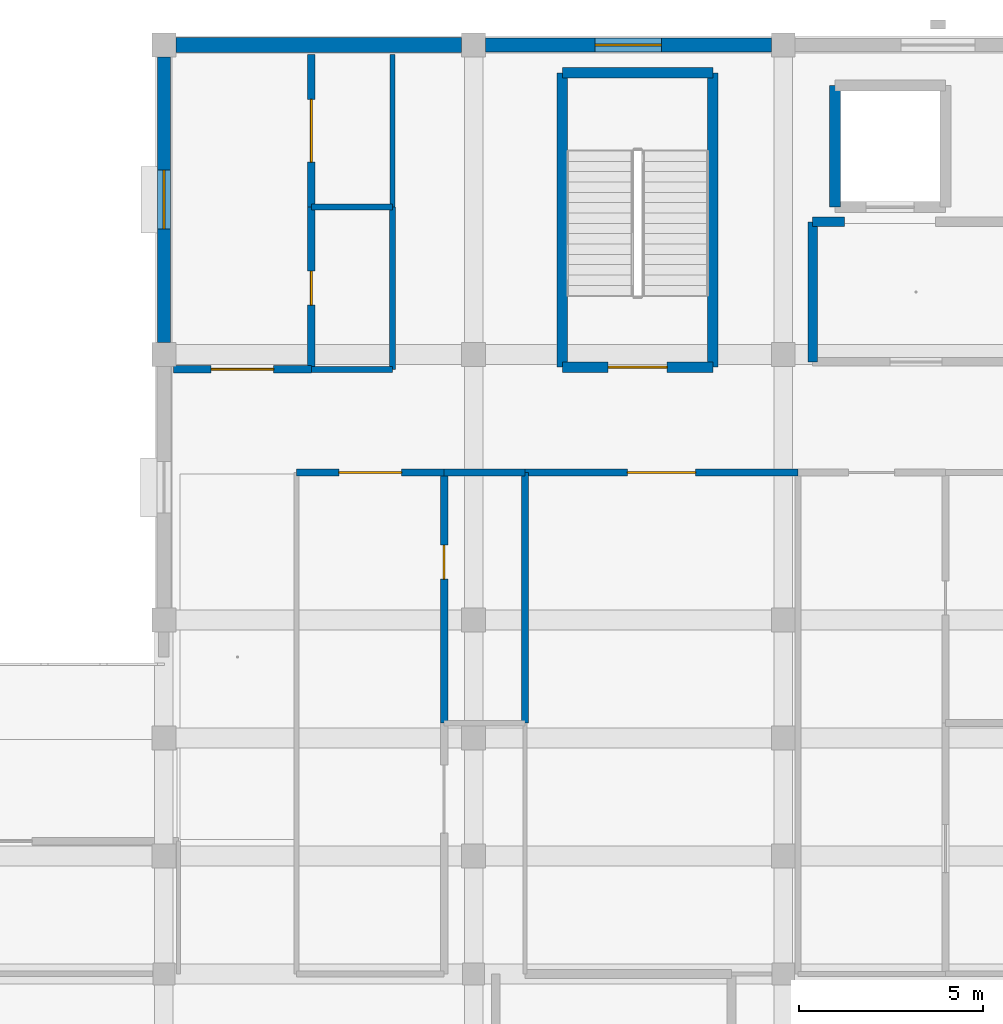
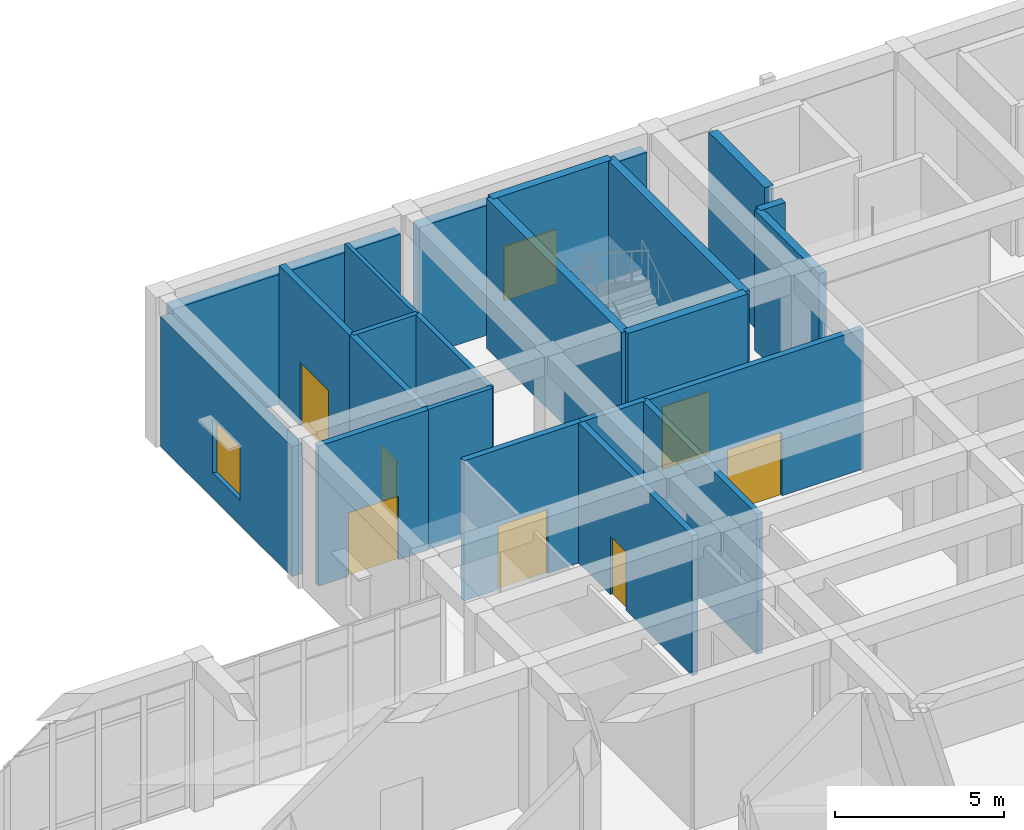
# One storey, part 88 of 157: 22 walls, 7 doors, 2 windows, 9 openings.
"""IFC4 building model written with IfcOpenShell, lengths in metres."""

from ifc_helpers import new_model, si_unit, direction, frame, frame_2d, origin, place, context, subcontext, project, spatial, rectangle, extrude, material, layer, layer_set, type_object, element, fill, save


model = new_model("IFC4")

# Units and contexts
model_context = context("Model", 3, precision=1e-05, world=origin(), true_north=direction((0.0, 1.0)))
body_context = subcontext(model_context, "Body", "Model", "MODEL_VIEW")
ifc_project = project(units=[si_unit("LENGTHUNIT", "METRE"), si_unit("AREAUNIT", "SQUARE_METRE"), si_unit("VOLUMEUNIT", "CUBIC_METRE"), si_unit("PLANEANGLEUNIT", "RADIAN"), si_unit("MASSUNIT", "GRAM", prefix="KILO")], contexts=[model_context])

# Site, building, storey
site_placement = place(None, origin())
site = spatial("IfcSite", under=ifc_project, at=site_placement, CompositionType="ELEMENT")
building_placement = place(site_placement, origin())
building = spatial("IfcBuilding", under=site, at=building_placement, Name="Varncliffe General Hospital", CompositionType="ELEMENT")
storey_placement = place(building_placement, frame((0.0, 0.0, 5.39990234375)))
storey = spatial("IfcBuildingStorey", under=building, at=storey_placement, Name="L01", CompositionType="ELEMENT", Elevation=5.39990234375)

# Wall, opening, window
ifc_material_1 = material(Name="Precast concrete C40/50 with insulated cream lime-cement stucco", Category="concrete")
ifc_layer_1 = layer(ifc_material_1, 0.3798828125)
ifc_layer_set_1 = layer_set([ifc_layer_1], Name="Precast concrete C40/50 with insulated cream lime-cement stucco")
wall_type_1 = type_object("IfcWallType", Name="Exterior Insulated Stucco Wall EW26 (380mm)", PredefinedType="SOLIDWALL", material=ifc_layer_set_1)
wall_1_placement = place(storey_placement, frame((117.923095703125, 124.800048828125, 0.0), z_axis=(0.0, 0.0, 1.0), x_axis=(1.0, 0.0, 0.0)))
wall_1 = element("IfcWall", 1, at=wall_1_placement, inside=storey, type_object=wall_type_1, Name="L01 Exterior Stucco Wall EW26-129", PredefinedType="SOLIDWALL", context=body_context, shape_type="SweptSolid", body=[
    extrude(rectangle(XDim=7.75390625, YDim=0.3798828125, at=frame_2d((3.876953125, 0.0))), origin(), (0.0, 0.0, 1.0), 4.68017578125),
])
opening_1_placement = place(wall_1_placement, frame((2.97705078125, 0.0, 0.89990234375)))
opening_1 = element("IfcOpeningElement", 2, at=opening_1_placement, cuts=wall_1, Name="Opening WN78", PredefinedType="OPENING", context=body_context, shape_type="SweptSolid", body=[
    extrude(rectangle(XDim=1.800048828125, YDim=1.949951171875, at=frame_2d((0.89990234375, 0.97509765625))), frame((0.0, 0.199951171875, 0.0), z_axis=(0.0, -1.0, 0.0), x_axis=(1.0, 0.0, 0.0)), (0.0, 0.0, 1.0), 0.39990234375),
])
ifc_material_2 = material(Name="Triple low-E argon insulated vision glazing", Category="glass")
window_type_1 = type_object("IfcWindowType", Name="Triple-Glazed Hospital Window WN78 (1800x1950)", PartitioningType="DOUBLE_PANEL_VERTICAL", PredefinedType="WINDOW", material=ifc_material_2)
window_1_placement = place(opening_1_placement, origin())
window_1 = element("IfcWindow", 3, at=window_1_placement, inside=storey, type_object=window_type_1, Name="L01 Hospital Window WN78-72", OverallHeight=1.949951171875, OverallWidth=1.800048828125, PartitioningType="DOUBLE_PANEL_VERTICAL", PredefinedType="WINDOW", context=body_context, shape_type="SweptSolid", body=[
    extrude(rectangle(XDim=1.800048828125, YDim=1.949951171875, at=frame_2d((0.89990234375, 0.97509765625))), frame((0.0, 0.030029296875, 0.0), z_axis=(0.0, -1.0, 0.0), x_axis=(1.0, 0.0, 0.0)), (0.0, 0.0, 1.0), 0.06005859375),
])
fill(opening_1, window_1)

ifc_layer_2 = layer(ifc_material_1, 0.35009765625)
ifc_layer_set_2 = layer_set([ifc_layer_2], Name="Precast concrete C40/50 with insulated cream lime-cement stucco")
wall_type_2 = type_object("IfcWallType", Name="Exterior Insulated Stucco Wall EW37 (350mm)", PredefinedType="SOLIDWALL", material=ifc_layer_set_2)
wall_2_placement = place(storey_placement, frame((109.199951171875, 116.722900390625, 0.0), z_axis=(0.0, 0.0, 1.0), x_axis=(0.0, 1.0, 0.0)))
wall_2 = element("IfcWall", 4, at=wall_2_placement, inside=storey, type_object=wall_type_2, Name="L01 Exterior Stucco Wall EW37-127", PredefinedType="SOLIDWALL", context=body_context, shape_type="SweptSolid", body=[
    extrude(rectangle(XDim=7.754150390625, YDim=0.35009765625, at=frame_2d((3.876953125, 0.0))), origin(), (0.0, 0.0, 1.0), 4.68017578125),
])
opening_2_placement = place(wall_2_placement, frame((3.076904296875, 0.0, 0.89990234375)))
opening_2 = element("IfcOpeningElement", 5, at=opening_2_placement, cuts=wall_2, Name="Opening WN13", PredefinedType="OPENING", context=body_context, shape_type="SweptSolid", body=[
    extrude(rectangle(XDim=1.60009765625, YDim=1.949951171875, at=frame_2d((0.800048828125, 0.97509765625))), frame((0.0, 0.18505859375, 0.0), z_axis=(0.0, -1.0, 0.0), x_axis=(1.0, 0.0, 0.0)), (0.0, 0.0, 1.0), 0.3701171875),
])
window_type_2 = type_object("IfcWindowType", Name="Triple-Glazed Hospital Window WN13 (1600x1950)", PartitioningType="DOUBLE_PANEL_VERTICAL", PredefinedType="WINDOW", material=ifc_material_2)
window_2_placement = place(opening_2_placement, origin())
window_2 = element("IfcWindow", 6, at=window_2_placement, inside=storey, type_object=window_type_2, Name="L01 Hospital Window WN13-71", OverallHeight=1.949951171875, OverallWidth=1.60009765625, PartitioningType="DOUBLE_PANEL_VERTICAL", PredefinedType="WINDOW", context=body_context, shape_type="SweptSolid", body=[
    extrude(rectangle(XDim=1.60009765625, YDim=1.949951171875, at=frame_2d((0.800048828125, 0.97509765625))), frame((0.0, 0.030029296875, 0.0), z_axis=(0.0, -1.0, 0.0), x_axis=(1.0, 0.0, 0.0)), (0.0, 0.0, 1.0), 0.06005859375),
])
fill(opening_2, window_2)

# Walls
ifc_layer_3 = layer(ifc_material_1, 0.39990234375)
ifc_layer_set_3 = layer_set([ifc_layer_3], Name="Precast concrete C40/50 with insulated cream lime-cement stucco")
wall_type_3 = type_object("IfcWallType", Name="Exterior Insulated Stucco Wall EW47 (400mm)", PredefinedType="SOLIDWALL", material=ifc_layer_set_3)
wall_3_placement = place(storey_placement, frame((109.52294921875, 124.800048828125, 0.0), z_axis=(0.0, 0.0, 1.0), x_axis=(1.0, 0.0, 0.0)))
element("IfcWall", 7, at=wall_3_placement, inside=storey, type_object=wall_type_3, Name="L01 Exterior Stucco Wall EW47-128", PredefinedType="SOLIDWALL", context=body_context, shape_type="SweptSolid", body=[
    extrude(rectangle(XDim=7.754150390625, YDim=0.39990234375, at=frame_2d((3.876953125, 0.0))), origin(), (0.0, 0.0, 1.0), 4.68017578125),
])
ifc_material_3 = material(Name="Acoustic clinical gypsum stud partition assembly", Category="gypsum")
ifc_layer_4 = layer(ifc_material_3, 0.1298828125)
ifc_layer_set_4 = layer_set([ifc_layer_4], Name="Acoustic clinical gypsum stud partition assembly")
wall_type_4 = type_object("IfcWallType", Name="Interior Partitioning IW11 (130mm)", PredefinedType="PARTITIONING", material=ifc_layer_set_4)
wall_4_placement = place(storey_placement, frame((115.39990234375, 120.39990234375, 0.0), z_axis=(0.0, 0.0, 1.0), x_axis=(0.0, 1.0, 0.0)))
element("IfcWall", 8, at=wall_4_placement, inside=storey, type_object=wall_type_4, Name="L01 Interior Partition Wall IW11-798", PredefinedType="PARTITIONING", context=body_context, shape_type="SweptSolid", body=[
    extrude(rectangle(XDim=4.14013671875, YDim=0.1298828125, at=frame_2d((2.070068359375, 0.0))), origin(), (0.0, 0.0, 1.0), 5.050048828125),
])
ifc_material_4 = material(Name="Fire-rated gypsum and mineral-wool partition assembly", Category="gypsum")
ifc_layer_5 = layer(ifc_material_4, 0.25)
ifc_layer_set_5 = layer_set([ifc_layer_5], Name="Fire-rated gypsum and mineral-wool partition assembly")
wall_type_5 = type_object("IfcWallType", Name="Interior Partitioning PW38 (250mm)", PredefinedType="PARTITIONING", material=ifc_layer_set_5)
wall_5_placement = place(storey_placement, frame((126.800048828125, 120.0, 0.0), z_axis=(0.0, 0.0, 1.0), x_axis=(1.0, 0.0, 0.0)))
element("IfcWall", 9, at=wall_5_placement, inside=storey, type_object=wall_type_5, Name="L01 Interior Partition Wall PW38-662", PredefinedType="PARTITIONING", context=body_context, shape_type="SweptSolid", body=[
    extrude(rectangle(XDim=0.864013671875, YDim=0.25, at=frame_2d((0.43212890625, 0.0))), origin(), (0.0, 0.0, 1.0), 5.050048828125),
])
wall_6_placement = place(storey_placement, frame((126.800048828125, 116.199951171875, 0.0), z_axis=(0.0, 0.0, 1.0), x_axis=(0.0, 1.0, 0.0)))
element("IfcWall", 10, at=wall_6_placement, inside=storey, type_object=wall_type_5, Name="L01 Interior Partition Wall PW38-811", PredefinedType="PARTITIONING", context=body_context, shape_type="SweptSolid", body=[
    extrude(rectangle(XDim=3.800048828125, YDim=0.25, at=frame_2d((1.89990234375, 0.0))), origin(), (0.0, 0.0, 1.0), 5.050048828125),
])

# Wall, opening, door
ifc_layer_6 = layer(ifc_material_4, 0.199951171875)
ifc_layer_set_6 = layer_set([ifc_layer_6], Name="Fire-rated gypsum and mineral-wool partition assembly")
wall_type_6 = type_object("IfcWallType", Name="Interior Partitioning PW63 (200mm)", PredefinedType="PARTITIONING", material=ifc_layer_set_6)
wall_7_placement = place(storey_placement, frame((112.800048828125, 113.199951171875, 0.0), z_axis=(0.0, 0.0, 1.0), x_axis=(1.0, 0.0, 0.0)))
wall_7 = element("IfcWall", 11, at=wall_7_placement, inside=storey, type_object=wall_type_6, Name="L01 Interior Partition Wall PW63-627", PredefinedType="PARTITIONING", context=body_context, shape_type="SweptSolid", body=[
    extrude(rectangle(XDim=4.0, YDim=0.199951171875, at=frame_2d((2.0, 0.0))), origin(), (0.0, 0.0, 1.0), 5.050048828125),
])
opening_3_placement = place(wall_7_placement, frame((1.14990234375, 0.0, 0.0)))
opening_3 = element("IfcOpeningElement", 12, at=opening_3_placement, cuts=wall_7, Name="Opening DC50", PredefinedType="OPENING", context=body_context, shape_type="SweptSolid", body=[
    extrude(rectangle(XDim=1.699951171875, YDim=2.300048828125, at=frame_2d((0.85009765625, 1.14990234375))), frame((0.0, 0.10986328125, 0.0), z_axis=(0.0, -1.0, 0.0), x_axis=(1.0, 0.0, 0.0)), (0.0, 0.0, 1.0), 0.219970703125),
])
ifc_material_5 = material(Name="Fire-rated hospital steel-frame vision-panel door", Category="steel")
door_type_1 = type_object("IfcDoorType", Name="Interior Hospital Door DC50 (1700x2300)", OperationType="NOTDEFINED", PredefinedType="DOOR", material=ifc_material_5)
door_1_placement = place(opening_3_placement, frame((1.699951171875, 0.0, 0.0), z_axis=(0.0, 0.0, 1.0), x_axis=(-1.0, 0.0, 0.0)))
door_1 = element("IfcDoor", 13, at=door_1_placement, inside=storey, type_object=door_type_1, Name="L01 General Medical Inpatient Room 149 Door", OperationType="SINGLE_SWING_RIGHT", OverallHeight=2.300048828125, OverallWidth=1.699951171875, PredefinedType="DOOR", context=body_context, shape_type="SweptSolid", body=[
    extrude(rectangle(XDim=1.699951171875, YDim=2.300048828125, at=frame_2d((0.85009765625, 1.14990234375))), frame((0.0, 0.02490234375, 0.0), z_axis=(0.0, -1.0, 0.0), x_axis=(1.0, 0.0, 0.0)), (0.0, 0.0, 1.0), 0.050048828125),
])
fill(opening_3, door_1)

wall_8_placement = place(storey_placement, frame((119.0, 113.199951171875, 0.0), z_axis=(0.0, 0.0, 1.0), x_axis=(1.0, 0.0, 0.0)))
wall_8 = element("IfcWall", 14, at=wall_8_placement, inside=storey, type_object=wall_type_6, Name="L01 Interior Partition Wall PW63-629", PredefinedType="PARTITIONING", context=body_context, shape_type="SweptSolid", body=[
    extrude(rectangle(XDim=7.39990234375, YDim=0.199951171875, at=frame_2d((3.699951171875, 0.0))), origin(), (0.0, 0.0, 1.0), 5.050048828125),
])
opening_4_placement = place(wall_8_placement, frame((2.77490234375, 0.0, 0.0)))
opening_4 = element("IfcOpeningElement", 15, at=opening_4_placement, cuts=wall_8, Name="Opening DC38", PredefinedType="OPENING", context=body_context, shape_type="SweptSolid", body=[
    extrude(rectangle(XDim=1.85009765625, YDim=2.300048828125, at=frame_2d((0.925048828125, 1.14990234375))), frame((0.0, 0.10986328125, 0.0), z_axis=(0.0, -1.0, 0.0), x_axis=(1.0, 0.0, 0.0)), (0.0, 0.0, 1.0), 0.219970703125),
])
door_type_2 = type_object("IfcDoorType", Name="Interior Hospital Door DC38 (1850x2300)", OperationType="NOTDEFINED", PredefinedType="DOOR", material=ifc_material_5)
door_2_placement = place(opening_4_placement, frame((1.85009765625, 0.0, 0.0), z_axis=(0.0, 0.0, 1.0), x_axis=(-1.0, 0.0, 0.0)))
door_2 = element("IfcDoor", 16, at=door_2_placement, inside=storey, type_object=door_type_2, Name="L01 Ward Nurse Station and Medication Room 152 Door", OperationType="SINGLE_SWING_LEFT", OverallHeight=2.300048828125, OverallWidth=1.85009765625, PredefinedType="DOOR", context=body_context, shape_type="SweptSolid", body=[
    extrude(rectangle(XDim=1.85009765625, YDim=2.300048828125, at=frame_2d((0.925048828125, 1.14990234375))), frame((0.0, 0.02490234375, 0.0), z_axis=(0.0, -1.0, 0.0), x_axis=(1.0, 0.0, 0.0)), (0.0, 0.0, 1.0), 0.050048828125),
])
fill(opening_4, door_2)

wall_9_placement = place(storey_placement, frame((109.4599609375, 116.0, 0.0), z_axis=(0.0, 0.0, 1.0), x_axis=(1.0, 0.0, 0.0)))
wall_9 = element("IfcWall", 17, at=wall_9_placement, inside=storey, type_object=wall_type_6, Name="L01 Interior Partition Wall PW63-648", PredefinedType="PARTITIONING", context=body_context, shape_type="SweptSolid", body=[
    extrude(rectangle(XDim=3.739990234375, YDim=0.199951171875, at=frame_2d((1.8701171875, 0.0))), origin(), (0.0, 0.0, 1.0), 5.050048828125),
])
opening_5_placement = place(wall_9_placement, frame((1.02001953125, 0.0, 0.0)))
opening_5 = element("IfcOpeningElement", 18, at=opening_5_placement, cuts=wall_9, Name="Opening DC50", PredefinedType="OPENING", context=body_context, shape_type="SweptSolid", body=[
    extrude(rectangle(XDim=1.699951171875, YDim=2.300048828125, at=frame_2d((0.85009765625, 1.14990234375))), frame((0.0, 0.10986328125, 0.0), z_axis=(0.0, -1.0, 0.0), x_axis=(1.0, 0.0, 0.0)), (0.0, 0.0, 1.0), 0.219970703125),
])
door_3_placement = place(opening_5_placement, origin())
door_3 = element("IfcDoor", 19, at=door_3_placement, inside=storey, type_object=door_type_1, Name="L01 General Medical Inpatient Room 175 Door", OperationType="SINGLE_SWING_RIGHT", OverallHeight=2.300048828125, OverallWidth=1.699951171875, PredefinedType="DOOR", context=body_context, shape_type="SweptSolid", body=[
    extrude(rectangle(XDim=1.699951171875, YDim=2.300048828125, at=frame_2d((0.85009765625, 1.14990234375))), frame((0.0, 0.02490234375, 0.0), z_axis=(0.0, -1.0, 0.0), x_axis=(1.0, 0.0, 0.0)), (0.0, 0.0, 1.0), 0.050048828125),
])
fill(opening_5, door_3)

wall_10_placement = place(storey_placement, frame((113.199951171875, 116.0, 0.0), z_axis=(0.0, 0.0, 1.0), x_axis=(0.0, 1.0, 0.0)))
wall_10 = element("IfcWall", 20, at=wall_10_placement, inside=storey, type_object=wall_type_6, Name="L01 Interior Partition Wall PW63-794", PredefinedType="PARTITIONING", context=body_context, shape_type="SweptSolid", body=[
    extrude(rectangle(XDim=4.39990234375, YDim=0.199951171875, at=frame_2d((2.199951171875, 0.0))), origin(), (0.0, 0.0, 1.0), 5.050048828125),
])
opening_6_placement = place(wall_10_placement, frame((1.739990234375, 0.0, 0.0)))
opening_6 = element("IfcOpeningElement", 21, at=opening_6_placement, cuts=wall_10, Name="Opening DI70", PredefinedType="OPENING", context=body_context, shape_type="SweptSolid", body=[
    extrude(rectangle(XDim=0.919921875, YDim=2.10009765625, at=frame_2d((0.4599609375, 1.050048828125))), frame((0.0, 0.10986328125, 0.0), z_axis=(0.0, -1.0, 0.0), x_axis=(1.0, 0.0, 0.0)), (0.0, 0.0, 1.0), 0.219970703125),
])
ifc_material_6 = material(Name="Solid-core antimicrobial hospital oak veneer door", Category="wood")
door_type_3 = type_object("IfcDoorType", Name="Interior Hospital Door DI70 (920x2100)", OperationType="NOTDEFINED", PredefinedType="DOOR", material=ifc_material_6)
door_4_placement = place(opening_6_placement, frame((0.919921875, 0.0, 0.0), z_axis=(0.0, 0.0, 1.0), x_axis=(-1.0, 0.0, 0.0)))
door_4 = element("IfcDoor", 22, at=door_4_placement, inside=storey, type_object=door_type_3, Name="L01 En-Suite Bathroom 176 Door", OperationType="SINGLE_SWING_RIGHT", OverallHeight=2.10009765625, OverallWidth=0.919921875, PredefinedType="DOOR", context=body_context, shape_type="SweptSolid", body=[
    extrude(rectangle(XDim=0.919921875, YDim=2.10009765625, at=frame_2d((0.4599609375, 1.050048828125))), frame((0.0, 0.02490234375, 0.0), z_axis=(0.0, -1.0, 0.0), x_axis=(1.0, 0.0, 0.0)), (0.0, 0.0, 1.0), 0.050048828125),
])
fill(opening_6, door_4)

wall_11_placement = place(storey_placement, frame((113.199951171875, 120.39990234375, 0.0), z_axis=(0.0, 0.0, 1.0), x_axis=(0.0, 1.0, 0.0)))
wall_11 = element("IfcWall", 23, at=wall_11_placement, inside=storey, type_object=wall_type_6, Name="L01 Interior Partition Wall PW63-795", PredefinedType="PARTITIONING", context=body_context, shape_type="SweptSolid", body=[
    extrude(rectangle(XDim=4.14013671875, YDim=0.199951171875, at=frame_2d((2.070068359375, 0.0))), origin(), (0.0, 0.0, 1.0), 5.050048828125),
])
opening_7_placement = place(wall_11_placement, frame((1.219970703125, 0.0, 0.0)))
opening_7 = element("IfcOpeningElement", 24, at=opening_7_placement, cuts=wall_11, Name="Opening DC50", PredefinedType="OPENING", context=body_context, shape_type="SweptSolid", body=[
    extrude(rectangle(XDim=1.699951171875, YDim=2.300048828125, at=frame_2d((0.85009765625, 1.14990234375))), frame((0.0, 0.10986328125, 0.0), z_axis=(0.0, -1.0, 0.0), x_axis=(1.0, 0.0, 0.0)), (0.0, 0.0, 1.0), 0.219970703125),
])
door_5_placement = place(opening_7_placement, frame((1.699951171875, 0.0, 0.0), z_axis=(0.0, 0.0, 1.0), x_axis=(-1.0, 0.0, 0.0)))
door_5 = element("IfcDoor", 25, at=door_5_placement, inside=storey, type_object=door_type_1, Name="L01 Patient Medication and Hygiene Bay 177 Door", OperationType="SINGLE_SWING_LEFT", OverallHeight=2.300048828125, OverallWidth=1.699951171875, PredefinedType="DOOR", context=body_context, shape_type="SweptSolid", body=[
    extrude(rectangle(XDim=1.699951171875, YDim=2.300048828125, at=frame_2d((0.85009765625, 1.14990234375))), frame((0.0, 0.02490234375, 0.0), z_axis=(0.0, -1.0, 0.0), x_axis=(1.0, 0.0, 0.0)), (0.0, 0.0, 1.0), 0.050048828125),
])
fill(opening_7, door_5)

wall_12_placement = place(storey_placement, frame((116.800048828125, 106.39990234375, 0.0), z_axis=(0.0, 0.0, 1.0), x_axis=(0.0, 1.0, 0.0)))
wall_12 = element("IfcWall", 26, at=wall_12_placement, inside=storey, type_object=wall_type_6, Name="L01 Interior Partition Wall PW63-800", PredefinedType="PARTITIONING", context=body_context, shape_type="SweptSolid", body=[
    extrude(rectangle(XDim=6.800048828125, YDim=0.199951171875, at=frame_2d((3.39990234375, 0.0))), origin(), (0.0, 0.0, 1.0), 5.050048828125),
])
opening_8_placement = place(wall_12_placement, frame((3.912109375, 0.0, 0.0)))
opening_8 = element("IfcOpeningElement", 27, at=opening_8_placement, cuts=wall_12, Name="Opening DI70", PredefinedType="OPENING", context=body_context, shape_type="SweptSolid", body=[
    extrude(rectangle(XDim=0.919921875, YDim=2.10009765625, at=frame_2d((0.4599609375, 1.050048828125))), frame((0.0, 0.10986328125, 0.0), z_axis=(0.0, -1.0, 0.0), x_axis=(1.0, 0.0, 0.0)), (0.0, 0.0, 1.0), 0.219970703125),
])
door_6_placement = place(opening_8_placement, frame((0.919921875, 0.0, 0.0), z_axis=(0.0, 0.0, 1.0), x_axis=(-1.0, 0.0, 0.0)))
door_6 = element("IfcDoor", 28, at=door_6_placement, inside=storey, type_object=door_type_3, Name="L01 En-Suite Bathroom 150 Door", OperationType="SINGLE_SWING_LEFT", OverallHeight=2.10009765625, OverallWidth=0.919921875, PredefinedType="DOOR", context=body_context, shape_type="SweptSolid", body=[
    extrude(rectangle(XDim=0.919921875, YDim=2.10009765625, at=frame_2d((0.4599609375, 1.050048828125))), frame((0.0, 0.02490234375, 0.0), z_axis=(0.0, -1.0, 0.0), x_axis=(1.0, 0.0, 0.0)), (0.0, 0.0, 1.0), 0.050048828125),
])
fill(opening_8, door_6)

# Walls
ifc_material_7 = material(Name="Moisture-resistant plumbing chase wall assembly", Category="gypsum")
ifc_layer_7 = layer(ifc_material_7, 0.18994140625)
ifc_layer_set_7 = layer_set([ifc_layer_7], Name="Moisture-resistant plumbing chase wall assembly")
wall_type_7 = type_object("IfcWallType", Name="Interior Plumbingwall MW17 (190mm)", PredefinedType="PLUMBINGWALL", material=ifc_layer_set_7)
wall_13_placement = place(storey_placement, frame((116.800048828125, 113.199951171875, 0.0), z_axis=(0.0, 0.0, 1.0), x_axis=(1.0, 0.0, 0.0)))
element("IfcWall", 29, at=wall_13_placement, inside=storey, type_object=wall_type_7, Name="L01 Interior Plumbing Wall MW17-628", PredefinedType="PLUMBINGWALL", context=body_context, shape_type="SweptSolid", body=[
    extrude(rectangle(XDim=2.199951171875, YDim=0.18994140625, at=frame_2d((1.10009765625, 0.0))), origin(), (0.0, 0.0, 1.0), 5.050048828125),
])
wall_14_placement = place(storey_placement, frame((119.0, 106.39990234375, 0.0), z_axis=(0.0, 0.0, 1.0), x_axis=(0.0, 1.0, 0.0)))
element("IfcWall", 30, at=wall_14_placement, inside=storey, type_object=wall_type_7, Name="L01 Interior Plumbing Wall MW17-808", PredefinedType="PLUMBINGWALL", context=body_context, shape_type="SweptSolid", body=[
    extrude(rectangle(XDim=6.800048828125, YDim=0.18994140625, at=frame_2d((3.39990234375, 0.0))), origin(), (0.0, 0.0, 1.0), 5.050048828125),
])
ifc_layer_8 = layer(ifc_material_7, 0.159912109375)
ifc_layer_set_8 = layer_set([ifc_layer_8], Name="Moisture-resistant plumbing chase wall assembly")
wall_type_8 = type_object("IfcWallType", Name="Interior Plumbingwall MW31 (160mm)", PredefinedType="PLUMBINGWALL", material=ifc_layer_set_8)
for number, where, z_axis, x_axis, name in (
    (31, (113.199951171875, 116.0, 0.0), (0.0, 0.0, 1.0), (1.0, 0.0, 0.0), "L01 Interior Plumbing Wall MW31-649"),
    (32, (113.199951171875, 120.39990234375, 0.0), (0.0, 0.0, 1.0), (1.0, 0.0, 0.0), "L01 Interior Plumbing Wall MW31-669"),
):
    element("IfcWall", number, at=place(storey_placement, frame(where, z_axis=z_axis, x_axis=x_axis)), inside=storey, type_object=wall_type_8, Name=name, PredefinedType="PLUMBINGWALL", context=body_context, shape_type="SweptSolid", body=[
        extrude(rectangle(XDim=2.199951171875, YDim=0.159912109375, at=frame_2d((1.10009765625, 0.0))), origin(), (0.0, 0.0, 1.0), 5.050048828125),
    ])
wall_15_placement = place(storey_placement, frame((115.39990234375, 116.0, 0.0), z_axis=(0.0, 0.0, 1.0), x_axis=(0.0, 1.0, 0.0)))
element("IfcWall", 33, at=wall_15_placement, inside=storey, type_object=wall_type_8, Name="L01 Interior Plumbing Wall MW31-797", PredefinedType="PLUMBINGWALL", context=body_context, shape_type="SweptSolid", body=[
    extrude(rectangle(XDim=4.39990234375, YDim=0.159912109375, at=frame_2d((2.199951171875, 0.0))), origin(), (0.0, 0.0, 1.0), 5.050048828125),
])
ifc_material_8 = material(Name="Concrete C40/50 (CSA A23.1 40 MPa)", Category="concrete")
ifc_layer_9 = layer(ifc_material_8, 0.300048828125)
ifc_layer_set_9 = layer_set([ifc_layer_9], Name="Concrete C40/50 (CSA A23.1 40 MPa)")
wall_type_9 = type_object("IfcWallType", Name="Reinforced Concrete Core Shear Wall CW12 (300mm)", PredefinedType="SHEAR", material=ifc_layer_set_9)
wall_16_placement = place(storey_placement, frame((127.39990234375, 123.699951171875, 0.0), z_axis=(0.0, 0.0, 1.0), x_axis=(0.0, -1.0, 0.0)))
element("IfcWall", 34, at=wall_16_placement, inside=storey, type_object=wall_type_9, Name="L01 LF03 Elevator Shaft Wall West", PredefinedType="SHEAR", context=body_context, shape_type="SweptSolid", body=[
    extrude(rectangle(XDim=3.300048828125, YDim=0.300048828125, at=frame_2d((1.64990234375, 0.0))), origin(), (0.0, 0.0, 1.0), 5.400146484375),
])
ifc_layer_10 = layer(ifc_material_8, 0.280029296875)
ifc_layer_set_10 = layer_set([ifc_layer_10], Name="Concrete C40/50 (CSA A23.1 40 MPa)")
wall_type_10 = type_object("IfcWallType", Name="Reinforced Concrete Core Shear Wall CW13 (280mm)", PredefinedType="SHEAR", material=ifc_layer_set_10)
wall_17_placement = place(storey_placement, frame((124.090087890625, 116.06005859375, 0.0), z_axis=(0.0, 0.0, 1.0), x_axis=(0.0, 1.0, 0.0)))
element("IfcWall", 35, at=wall_17_placement, inside=storey, type_object=wall_type_10, Name="L01 ST03 Core Shear Wall L", PredefinedType="SHEAR", context=body_context, shape_type="SweptSolid", body=[
    extrude(rectangle(XDim=7.97998046875, YDim=0.280029296875, at=frame_2d((3.989990234375, 0.0))), origin(), (0.0, 0.0, 1.0), 5.400146484375),
])
wall_18_placement = place(storey_placement, frame((124.090087890625, 124.0400390625, 0.0), z_axis=(0.0, 0.0, 1.0), x_axis=(-1.0, 0.0, 0.0)))
element("IfcWall", 36, at=wall_18_placement, inside=storey, type_object=wall_type_10, Name="L01 ST03 Core Shear Wall F", PredefinedType="SHEAR", context=body_context, shape_type="SweptSolid", body=[
    extrude(rectangle(XDim=4.080078125, YDim=0.280029296875, at=frame_2d((2.0400390625, 0.0))), origin(), (0.0, 0.0, 1.0), 5.400146484375),
])
wall_19_placement = place(storey_placement, frame((120.010009765625, 124.0400390625, 0.0), z_axis=(0.0, 0.0, 1.0), x_axis=(0.0, -1.0, 0.0)))
element("IfcWall", 37, at=wall_19_placement, inside=storey, type_object=wall_type_10, Name="L01 ST03 Core Shear Wall R", PredefinedType="SHEAR", context=body_context, shape_type="SweptSolid", body=[
    extrude(rectangle(XDim=7.97998046875, YDim=0.280029296875, at=frame_2d((3.989990234375, 0.0))), origin(), (0.0, 0.0, 1.0), 5.400146484375),
])

# Wall, opening, door
wall_20_placement = place(storey_placement, frame((120.010009765625, 116.06005859375, 0.0), z_axis=(0.0, 0.0, 1.0), x_axis=(1.0, 0.0, 0.0)))
wall_20 = element("IfcWall", 38, at=wall_20_placement, inside=storey, type_object=wall_type_10, Name="L01 ST03 Core Shear Wall N", PredefinedType="SHEAR", context=body_context, shape_type="SweptSolid", body=[
    extrude(rectangle(XDim=4.080078125, YDim=0.280029296875, at=frame_2d((2.0400390625, 0.0))), origin(), (0.0, 0.0, 1.0), 5.400146484375),
])
opening_9_placement = place(wall_20_placement, frame((1.239990234375, 0.0, 0.0)))
opening_9 = element("IfcOpeningElement", 39, at=opening_9_placement, cuts=wall_20, Name="Opening DF27", PredefinedType="OPENING", context=body_context, shape_type="SweptSolid", body=[
    extrude(rectangle(XDim=1.60009765625, YDim=2.25, at=frame_2d((0.800048828125, 1.125))), frame((0.0, 0.14990234375, 0.0), z_axis=(0.0, -1.0, 0.0), x_axis=(1.0, 0.0, 0.0)), (0.0, 0.0, 1.0), 0.300048828125),
])
door_type_4 = type_object("IfcDoorType", Name="Interior Hospital Door DF27 (1600x2250)", OperationType="NOTDEFINED", PredefinedType="DOOR", material=ifc_material_5)
door_7_placement = place(opening_9_placement, frame((1.60009765625, 0.0, 0.0), z_axis=(0.0, 0.0, 1.0), x_axis=(-1.0, 0.0, 0.0)))
door_7 = element("IfcDoor", 40, at=door_7_placement, inside=storey, type_object=door_type_4, Name="L01 ST03 Protected Exit Stair Door", OperationType="SINGLE_SWING_LEFT", OverallHeight=2.25, OverallWidth=1.60009765625, PredefinedType="DOOR", context=body_context, shape_type="SweptSolid", body=[
    extrude(rectangle(XDim=1.60009765625, YDim=2.25, at=frame_2d((0.800048828125, 1.125))), frame((0.0, 0.02490234375, 0.0), z_axis=(0.0, -1.0, 0.0), x_axis=(1.0, 0.0, 0.0)), (0.0, 0.0, 1.0), 0.050048828125),
])
fill(opening_9, door_7)

save(model, "model.ifc")
